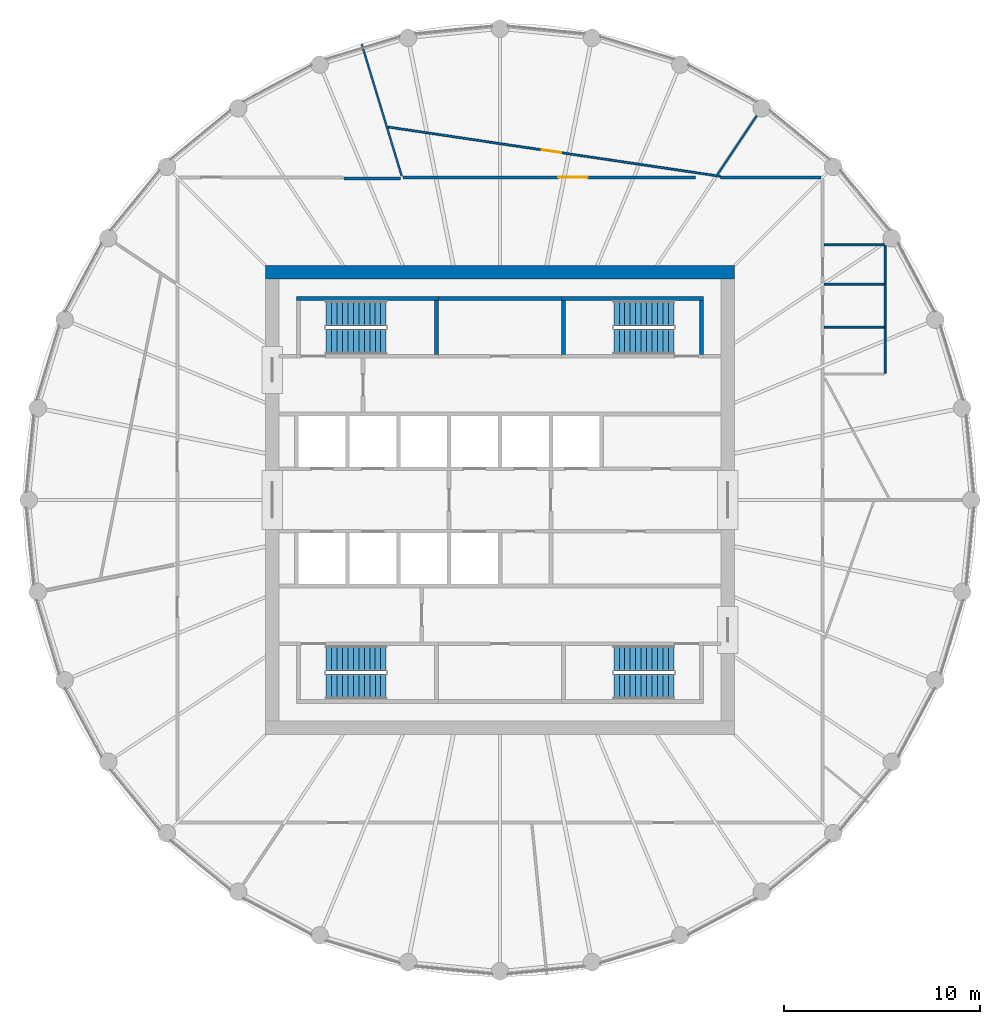
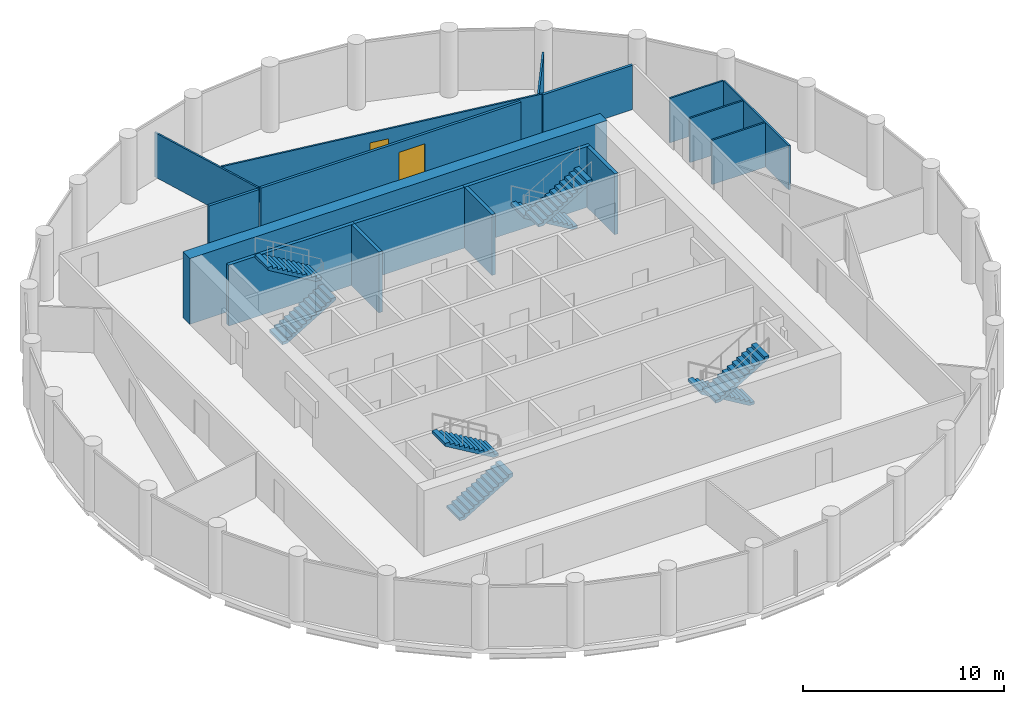
# One storey, part 6 of 7: 17 walls, 8 stair flights, 2 doors, 2 openings, 4 elements without a shape of their own.
"""IFC4 building model written with IfcOpenShell, lengths in metres."""

from ifc_helpers import new_model, si_unit, direction, frame, frame_2d, origin, place, context, subcontext, project, spatial, polyline, rectangle, outline, extrude, material, layer, layer_set, type_object, element, fill, aggregate, save


model = new_model("IFC4")

# Units and contexts
model_context = context("Model", 3, precision=1e-05, world=origin(), true_north=direction((0.0, 1.0)))
body_context = subcontext(model_context, "Body", "Model", "MODEL_VIEW")
ifc_project = project(units=[si_unit("LENGTHUNIT", "METRE"), si_unit("AREAUNIT", "SQUARE_METRE"), si_unit("VOLUMEUNIT", "CUBIC_METRE"), si_unit("PLANEANGLEUNIT", "RADIAN"), si_unit("MASSUNIT", "GRAM", prefix="KILO")], contexts=[model_context])

# Site, building, storey
site_placement = place(None, origin())
site = spatial("IfcSite", under=ifc_project, at=site_placement, CompositionType="ELEMENT")
building_placement = place(site_placement, origin())
building = spatial("IfcBuilding", under=site, at=building_placement, Name="Corvane Civic Tower", CompositionType="ELEMENT")
storey_placement = place(building_placement, frame((0.0, 0.0, 291.0)))
storey = spatial("IfcBuildingStorey", under=building, at=storey_placement, Name="L69", CompositionType="ELEMENT", Elevation=291.0)

# Walls
ifc_material_1 = material(Name="Concrete C40/50", Category="concrete")
ifc_layer_1 = layer(ifc_material_1, 0.699951171875)
ifc_layer_set_1 = layer_set([ifc_layer_1], Name="Concrete C40/50")
wall_type_1 = type_object("IfcWallType", Name="CORE WALL 700 C40/50", PredefinedType="SHEAR", material=ifc_layer_set_1)
wall_1_placement = place(storey_placement, frame((-12.0, 11.64990234375, 0.0), z_axis=(0.0, 0.0, 1.0), x_axis=(1.0, 0.0, 0.0)))
element("IfcWall", 1, at=wall_1_placement, inside=storey, type_object=wall_type_1, Name="W-L69-core-N", PredefinedType="SHEAR", context=body_context, shape_type="SweptSolid", body=[
    extrude(rectangle(XDim=24.0, YDim=0.699951171875, at=frame_2d((12.0, 0.0))), origin(), (0.0, 0.0, 1.0), 4.0),
])
ifc_material_2 = material(Name="Concrete C30/37", Category="concrete")
ifc_layer_2 = layer(ifc_material_2, 0.199951171875)
ifc_layer_set_2 = layer_set([ifc_layer_2], Name="Concrete C30/37")
wall_type_2 = type_object("IfcWallType", Name="CR-WALL-200", PredefinedType="PARTITIONING", material=ifc_layer_set_2)
wall_2_placement = place(storey_placement, origin())
element("IfcWall", 2, at=wall_2_placement, inside=storey, type_object=wall_type_2, Name="L69 core partition wall", PredefinedType="PARTITIONING", context=body_context, shape_type="SweptSolid", body=[
    extrude(outline(polyline([(3.14990234375, 10.199951171875), (-3.14990234375, 10.199951171875), (-3.14990234375, 10.39990234375), (3.14990234375, 10.39990234375), (3.14990234375, 10.199951171875)])), origin(), (0.0, 0.0, 1.0), 3.699951171875),
])
ifc_material_3 = material(Name="Plasterboard")
ifc_layer_3 = layer(ifc_material_3, 0.10009765625)
ifc_layer_set_3 = layer_set([ifc_layer_3], Name="Plasterboard")
wall_type_3 = type_object("IfcWallType", Name="Partition 100 plasterboard on studs", PredefinedType="PARTITIONING", material=ifc_layer_set_3)
wall_3_placement = place(storey_placement, frame((19.699951171875, 6.4951171875, 0.0), z_axis=(0.0, 0.0, 1.0), x_axis=(0.0, 1.0, 0.0)))
element("IfcWall", 3, at=wall_3_placement, inside=storey, type_object=wall_type_3, Name="Partition L69.015", PredefinedType="PARTITIONING", context=body_context, shape_type="SweptSolid", body=[
    extrude(rectangle(XDim=6.5, YDim=0.10009765625, at=frame_2d((3.25, 0.0))), origin(), (0.0, 0.0, 1.0), 2.699951171875),
])
for number, where, z_axis, x_axis, name in (
    (4, (16.574951171875, 8.844970703125, 0.0), (0.0, 0.0, 1.0), (1.0, 0.0, 0.0), "Partition L69.016"),
    (5, (16.574951171875, 11.044921875, 0.0), (0.0, 0.0, 1.0), (1.0, 0.0, 0.0), "Partition L69.017"),
    (6, (16.574951171875, 13.044921875, 0.0), (0.0, 0.0, 1.0), (1.0, 0.0, 0.0), "Partition L69.019"),
):
    element("IfcWall", number, at=place(storey_placement, frame(where, z_axis=z_axis, x_axis=x_axis)), inside=storey, type_object=wall_type_3, Name=name, PredefinedType="PARTITIONING", context=body_context, shape_type="SweptSolid", body=[
        extrude(rectangle(XDim=3.074951171875, YDim=0.10009765625, at=frame_2d((1.53759765625, 0.0))), origin(), (0.0, 0.0, 1.0), 2.699951171875),
    ])
wall_4_placement = place(storey_placement, frame((-7.068603515625, 23.3017578125, 0.0), z_axis=(0.0, 0.0, 1.0), x_axis=(0.290279752693, -0.956941829568, 0.0)))
element("IfcWall", 7, at=wall_4_placement, inside=storey, type_object=wall_type_3, Name="Partition L69.024", PredefinedType="PARTITIONING", context=body_context, shape_type="SweptSolid", body=[
    extrude(rectangle(XDim=7.04052734375, YDim=0.10009765625, at=frame_2d((3.520263671875, 0.0))), origin(), (0.0, 0.0, 1.0), 2.699951171875),
])

# Wall, opening, door
wall_5_placement = place(storey_placement, frame((-5.711669921875, 19.074462890625, 0.0), z_axis=(0.0, 0.0, 1.0), x_axis=(0.989177097484, -0.146726513669, 0.0)))
wall_5 = element("IfcWall", 8, at=wall_5_placement, inside=storey, type_object=wall_type_3, Name="Partition L69.025", PredefinedType="PARTITIONING", context=body_context, shape_type="SweptSolid", body=[
    extrude(rectangle(XDim=17.163330078125, YDim=0.10009765625, at=frame_2d((8.58154296875, 0.0))), origin(), (0.0, 0.0, 1.0), 2.699951171875),
])
opening_1_placement = place(wall_5_placement, frame((7.948486328125, 0.0, 0.0)))
opening_1 = element("IfcOpeningElement", 9, at=opening_1_placement, cuts=wall_5, Name="Opening L69.014", PredefinedType="OPENING", context=body_context, shape_type="SweptSolid", body=[
    extrude(rectangle(XDim=1.0, YDim=2.10009765625, at=frame_2d((0.5, 1.050048828125))), frame((0.0, 0.06005859375, 0.0), z_axis=(0.0, -1.0, 0.0), x_axis=(1.0, 0.0, 0.0)), (0.0, 0.0, 1.0), 0.1201171875),
])
ifc_material_4 = material(Name="Timber", Category="wood")
door_type_1 = type_object("IfcDoorType", Name="Single door 1000", OperationType="NOTDEFINED", PredefinedType="DOOR", material=ifc_material_4)
door_1_placement = place(opening_1_placement, origin())
door_1 = element("IfcDoor", 10, at=door_1_placement, inside=storey, type_object=door_type_1, Name="Door L69.014", OperationType="SINGLE_SWING_LEFT", OverallHeight=2.10009765625, OverallWidth=1.0, PredefinedType="DOOR", context=body_context, shape_type="SweptSolid", body=[
    extrude(rectangle(XDim=1.0, YDim=2.10009765625, at=frame_2d((0.5, 1.050048828125))), frame((0.0, 0.02490234375, 0.0), z_axis=(0.0, -1.0, 0.0), x_axis=(1.0, 0.0, 0.0)), (0.0, 0.0, 1.0), 0.050048828125),
])
fill(opening_1, door_1)

# Walls
wall_6_placement = place(storey_placement, frame((11.1328125, 16.661376953125, 0.0), z_axis=(0.0, 0.0, 1.0), x_axis=(0.555529029724, 0.831497141988, 0.0)))
element("IfcWall", 11, at=wall_6_placement, inside=storey, type_object=wall_type_3, Name="Partition L69.026", PredefinedType="PARTITIONING", context=body_context, shape_type="SweptSolid", body=[
    extrude(rectangle(XDim=3.6015625, YDim=0.10009765625, at=frame_2d((1.80078125, 0.0))), origin(), (0.0, 0.0, 1.0), 2.699951171875),
])
ifc_material_5 = material(Name="Concrete C50/60", Category="concrete")
ifc_layer_4 = layer(ifc_material_5, 0.199951171875)
ifc_layer_set_4 = layer_set([ifc_layer_4], Name="Concrete C50/60")
wall_type_4 = type_object("IfcWallType", Name="ST-WALL-200", PredefinedType="SHEAR", material=ifc_layer_set_4)
wall_7_placement = place(storey_placement, origin())
element("IfcWall", 12, at=wall_7_placement, inside=storey, type_object=wall_type_4, Name="L69 stair enclosure wall", PredefinedType="SHEAR", context=body_context, shape_type="SweptSolid", body=[
    extrude(outline(polyline([(-3.14990234375, 10.199951171875), (-10.39990234375, 10.199951171875), (-10.39990234375, 10.39990234375), (-3.14990234375, 10.39990234375), (-3.14990234375, 10.199951171875)])), origin(), (0.0, 0.0, 1.0), 3.699951171875),
])
wall_8_placement = place(storey_placement, origin())
element("IfcWall", 13, at=wall_8_placement, inside=storey, type_object=wall_type_4, Name="L69 stair enclosure wall", PredefinedType="SHEAR", context=body_context, shape_type="SweptSolid", body=[
    extrude(outline(polyline([(10.39990234375, 10.199951171875), (3.14990234375, 10.199951171875), (3.14990234375, 10.39990234375), (10.39990234375, 10.39990234375), (10.39990234375, 10.199951171875)])), origin(), (0.0, 0.0, 1.0), 3.699951171875),
])
wall_9_placement = place(storey_placement, origin())
element("IfcWall", 14, at=wall_9_placement, inside=storey, type_object=wall_type_4, Name="L69 stair enclosure wall", PredefinedType="SHEAR", context=body_context, shape_type="SweptSolid", body=[
    extrude(outline(polyline([(-3.14990234375, 7.449951171875), (-3.35009765625, 7.449951171875), (-3.35009765625, 10.199951171875), (-3.14990234375, 10.199951171875), (-3.14990234375, 7.449951171875)])), origin(), (0.0, 0.0, 1.0), 3.699951171875),
])
wall_10_placement = place(storey_placement, origin())
element("IfcWall", 15, at=wall_10_placement, inside=storey, type_object=wall_type_4, Name="L69 stair enclosure wall", PredefinedType="SHEAR", context=body_context, shape_type="SweptSolid", body=[
    extrude(outline(polyline([(3.35009765625, 7.449951171875), (3.14990234375, 7.449951171875), (3.14990234375, 10.199951171875), (3.35009765625, 10.199951171875), (3.35009765625, 7.449951171875)])), origin(), (0.0, 0.0, 1.0), 3.699951171875),
])
wall_11_placement = place(storey_placement, origin())
element("IfcWall", 16, at=wall_11_placement, inside=storey, type_object=wall_type_4, Name="L69 stair enclosure wall", PredefinedType="SHEAR", context=body_context, shape_type="SweptSolid", body=[
    extrude(outline(polyline([(10.39990234375, 7.449951171875), (10.199951171875, 7.449951171875), (10.199951171875, 10.199951171875), (10.39990234375, 10.199951171875), (10.39990234375, 7.449951171875)])), origin(), (0.0, 0.0, 1.0), 3.699951171875),
])
ifc_material_6 = material(Name="Plasterboard")
ifc_layer_5 = layer(ifc_material_6, 0.14990234375)
ifc_layer_set_5 = layer_set([ifc_layer_5], Name="Plasterboard")
wall_type_5 = type_object("IfcWallType", Name="Tenancy wall 150 EI 60", PredefinedType="PARTITIONING", material=ifc_layer_set_5)
wall_12_placement = place(storey_placement, frame((-7.97705078125, 16.449951171875, 0.0), z_axis=(0.0, 0.0, 1.0), x_axis=(1.0, 0.0, 0.0)))
element("IfcWall", 17, at=wall_12_placement, inside=storey, type_object=wall_type_5, Name="Partition L69.020", PredefinedType="PARTITIONING", context=body_context, shape_type="SweptSolid", body=[
    extrude(rectangle(XDim=2.8857421875, YDim=0.14990234375, at=frame_2d((1.44287109375, 0.0))), origin(), (0.0, 0.0, 1.0), 2.699951171875),
])

# Wall, opening, door
wall_13_placement = place(storey_placement, frame((-4.94970703125, 16.5, 0.0), z_axis=(0.0, 0.0, 1.0), x_axis=(1.0, 0.0, 0.0)))
wall_13 = element("IfcWall", 18, at=wall_13_placement, inside=storey, type_object=wall_type_5, Name="Partition L69.022", PredefinedType="PARTITIONING", context=body_context, shape_type="SweptSolid", body=[
    extrude(rectangle(XDim=14.9580078125, YDim=0.14990234375, at=frame_2d((7.47900390625, 0.0))), origin(), (0.0, 0.0, 1.0), 2.699951171875),
])
opening_2_placement = place(wall_13_placement, frame((7.93701171875, 0.0, 0.0)))
opening_2 = element("IfcOpeningElement", 19, at=opening_2_placement, cuts=wall_13, Name="Opening L69.015", PredefinedType="OPENING", context=body_context, shape_type="SweptSolid", body=[
    extrude(rectangle(XDim=1.5, YDim=2.10009765625, at=frame_2d((0.75, 1.050048828125))), frame((0.0, 0.0849609375, 0.0), z_axis=(0.0, -1.0, 0.0), x_axis=(1.0, 0.0, 0.0)), (0.0, 0.0, 1.0), 0.169921875),
])
ifc_material_7 = material(Name="Steel and timber", Category="steel")
door_type_2 = type_object("IfcDoorType", Name="Fire door FD60 double 1500", OperationType="NOTDEFINED", PredefinedType="DOOR", material=ifc_material_7)
door_2_placement = place(opening_2_placement, origin())
door_2 = element("IfcDoor", 20, at=door_2_placement, inside=storey, type_object=door_type_2, Name="Door L69.015", OperationType="DOUBLE_DOOR_SINGLE_SWING", OverallHeight=2.10009765625, OverallWidth=1.5, PredefinedType="DOOR", context=body_context, shape_type="SweptSolid", body=[
    extrude(rectangle(XDim=1.5, YDim=2.10009765625, at=frame_2d((0.75, 1.050048828125))), frame((0.0, 0.02490234375, 0.0), z_axis=(0.0, -1.0, 0.0), x_axis=(1.0, 0.0, 0.0)), (0.0, 0.0, 1.0), 0.050048828125),
])
fill(opening_2, door_2)

# Wall
wall_14_placement = place(storey_placement, frame((11.265869140625, 16.5, 0.0), z_axis=(0.0, 0.0, 1.0), x_axis=(1.0, 0.0, 0.0)))
element("IfcWall", 21, at=wall_14_placement, inside=storey, type_object=wall_type_5, Name="Partition L69.023", PredefinedType="PARTITIONING", context=body_context, shape_type="SweptSolid", body=[
    extrude(rectangle(XDim=5.1591796875, YDim=0.14990234375, at=frame_2d((2.57958984375, 0.0))), origin(), (0.0, 0.0, 1.0), 2.699951171875),
])

# Stair, stair flights
ifc_material_8 = material(Name="Concrete C40/50", Category="concrete")
stair_type = type_object("IfcStairType", Name="ST-STAIR-HALFTURN", PredefinedType="HALF_TURN_STAIR", material=ifc_material_8)
stair_1_placement = place(storey_placement, origin())
stair_1 = element("IfcStair", 22, at=stair_1_placement, inside=storey, type_object=stair_type, Name="L69 Exit stair ST1", PredefinedType="HALF_TURN_STAIR")
ifc_material_9 = material(Name="Concrete C40/50", Category="concrete")
stair_flight_type = type_object("IfcStairFlightType", Name="ST-FLIGHT-RC", PredefinedType="STRAIGHT", material=ifc_material_9)
stair_flight_1_placement = place(storey_placement, frame((8.89990234375, 9.550048828125, 0.0), z_axis=(0.0, 0.0, 1.0), x_axis=(-1.0, 0.0, 0.0)))
stair_flight_1 = element("IfcStairFlight", 23, at=stair_flight_1_placement, type_object=stair_flight_type, Name="ST1 flight 1", NumberOfRisers=12, NumberOfTreads=11, PredefinedType="STRAIGHT", RiserHeight=0.166666667, TreadLength=0.28, context=body_context, shape_type="SweptSolid", body=[
    extrude(outline(polyline([(0.0, 0.0), (0.0, 0.166748046875), (0.280029296875, 0.166748046875), (0.280029296875, 0.333251953125), (0.56005859375, 0.333251953125), (0.56005859375, 0.5), (0.840087890625, 0.5), (0.840087890625, 0.666748046875), (1.1201171875, 0.666748046875), (1.1201171875, 0.833251953125), (1.39990234375, 0.833251953125), (1.39990234375, 1.0), (1.679931640625, 1.0), (1.679931640625, 1.166748046875), (1.9599609375, 1.166748046875), (1.9599609375, 1.333251953125), (2.239990234375, 1.333251953125), (2.239990234375, 1.5), (2.52001953125, 1.5), (2.52001953125, 1.666748046875), (2.800048828125, 1.666748046875), (2.800048828125, 1.833251953125), (3.080078125, 1.833251953125), (3.080078125, 2.0), (3.080078125, 1.658935546875), (0.29296875, 0.0), (0.0, 0.0)])), frame((0.0, 0.64990234375, 0.0), z_axis=(0.0, -1.0, 0.0), x_axis=(1.0, 0.0, 0.0)), (0.0, 0.0, 1.0), 1.300048828125),
])
stair_flight_2_placement = place(storey_placement, frame((5.820068359375, 8.10009765625, 2.0), z_axis=(0.0, 0.0, 1.0), x_axis=(1.0, 0.0, 0.0)))
stair_flight_2 = element("IfcStairFlight", 24, at=stair_flight_2_placement, type_object=stair_flight_type, Name="ST1 flight 2", NumberOfRisers=12, NumberOfTreads=11, PredefinedType="STRAIGHT", RiserHeight=0.166666667, TreadLength=0.28, context=body_context, shape_type="SweptSolid", body=[
    extrude(outline(polyline([(0.0, 0.0), (0.0, 0.166748046875), (0.280029296875, 0.166748046875), (0.280029296875, 0.333251953125), (0.56005859375, 0.333251953125), (0.56005859375, 0.5), (0.840087890625, 0.5), (0.840087890625, 0.666748046875), (1.1201171875, 0.666748046875), (1.1201171875, 0.833251953125), (1.39990234375, 0.833251953125), (1.39990234375, 1.0), (1.679931640625, 1.0), (1.679931640625, 1.166748046875), (1.9599609375, 1.166748046875), (1.9599609375, 1.333251953125), (2.239990234375, 1.333251953125), (2.239990234375, 1.5), (2.52001953125, 1.5), (2.52001953125, 1.666748046875), (2.800048828125, 1.666748046875), (2.800048828125, 1.833251953125), (3.080078125, 1.833251953125), (3.080078125, 2.0), (3.080078125, 1.658935546875), (0.29296875, 0.0), (0.0, 0.0)])), frame((0.0, 0.64990234375, 0.0), z_axis=(0.0, -1.0, 0.0), x_axis=(1.0, 0.0, 0.0)), (0.0, 0.0, 1.0), 1.300048828125),
])
aggregate(stair_1, [stair_flight_1, stair_flight_2])

stair_2_placement = place(storey_placement, origin())
stair_2 = element("IfcStair", 25, at=stair_2_placement, inside=storey, type_object=stair_type, Name="L69 Exit stair ST2", PredefinedType="HALF_TURN_STAIR")
stair_flight_3_placement = place(storey_placement, frame((8.89990234375, -8.10009765625, 0.0), z_axis=(0.0, 0.0, 1.0), x_axis=(-1.0, 0.0, 0.0)))
stair_flight_3 = element("IfcStairFlight", 26, at=stair_flight_3_placement, type_object=stair_flight_type, Name="ST2 flight 1", NumberOfRisers=12, NumberOfTreads=11, PredefinedType="STRAIGHT", RiserHeight=0.166666667, TreadLength=0.28, context=body_context, shape_type="SweptSolid", body=[
    extrude(outline(polyline([(0.0, 0.0), (0.0, 0.166748046875), (0.280029296875, 0.166748046875), (0.280029296875, 0.333251953125), (0.56005859375, 0.333251953125), (0.56005859375, 0.5), (0.840087890625, 0.5), (0.840087890625, 0.666748046875), (1.1201171875, 0.666748046875), (1.1201171875, 0.833251953125), (1.39990234375, 0.833251953125), (1.39990234375, 1.0), (1.679931640625, 1.0), (1.679931640625, 1.166748046875), (1.9599609375, 1.166748046875), (1.9599609375, 1.333251953125), (2.239990234375, 1.333251953125), (2.239990234375, 1.5), (2.52001953125, 1.5), (2.52001953125, 1.666748046875), (2.800048828125, 1.666748046875), (2.800048828125, 1.833251953125), (3.080078125, 1.833251953125), (3.080078125, 2.0), (3.080078125, 1.658935546875), (0.29296875, 0.0), (0.0, 0.0)])), frame((0.0, 0.64990234375, 0.0), z_axis=(0.0, -1.0, 0.0), x_axis=(1.0, 0.0, 0.0)), (0.0, 0.0, 1.0), 1.300048828125),
])
stair_flight_4_placement = place(storey_placement, frame((5.820068359375, -9.550048828125, 2.0), z_axis=(0.0, 0.0, 1.0), x_axis=(1.0, 0.0, 0.0)))
stair_flight_4 = element("IfcStairFlight", 27, at=stair_flight_4_placement, type_object=stair_flight_type, Name="ST2 flight 2", NumberOfRisers=12, NumberOfTreads=11, PredefinedType="STRAIGHT", RiserHeight=0.166666667, TreadLength=0.28, context=body_context, shape_type="SweptSolid", body=[
    extrude(outline(polyline([(0.0, 0.0), (0.0, 0.166748046875), (0.280029296875, 0.166748046875), (0.280029296875, 0.333251953125), (0.56005859375, 0.333251953125), (0.56005859375, 0.5), (0.840087890625, 0.5), (0.840087890625, 0.666748046875), (1.1201171875, 0.666748046875), (1.1201171875, 0.833251953125), (1.39990234375, 0.833251953125), (1.39990234375, 1.0), (1.679931640625, 1.0), (1.679931640625, 1.166748046875), (1.9599609375, 1.166748046875), (1.9599609375, 1.333251953125), (2.239990234375, 1.333251953125), (2.239990234375, 1.5), (2.52001953125, 1.5), (2.52001953125, 1.666748046875), (2.800048828125, 1.666748046875), (2.800048828125, 1.833251953125), (3.080078125, 1.833251953125), (3.080078125, 2.0), (3.080078125, 1.658935546875), (0.29296875, 0.0), (0.0, 0.0)])), frame((0.0, 0.64990234375, 0.0), z_axis=(0.0, -1.0, 0.0), x_axis=(1.0, 0.0, 0.0)), (0.0, 0.0, 1.0), 1.300048828125),
])
aggregate(stair_2, [stair_flight_3, stair_flight_4])

stair_3_placement = place(storey_placement, origin())
stair_3 = element("IfcStair", 28, at=stair_3_placement, inside=storey, type_object=stair_type, Name="L69 Exit stair ST3", PredefinedType="HALF_TURN_STAIR")
stair_flight_5_placement = place(storey_placement, frame((-8.89990234375, -9.550048828125, 0.0), z_axis=(0.0, 0.0, 1.0), x_axis=(1.0, 0.0, 0.0)))
stair_flight_5 = element("IfcStairFlight", 29, at=stair_flight_5_placement, type_object=stair_flight_type, Name="ST3 flight 1", NumberOfRisers=12, NumberOfTreads=11, PredefinedType="STRAIGHT", RiserHeight=0.166666667, TreadLength=0.28, context=body_context, shape_type="SweptSolid", body=[
    extrude(outline(polyline([(0.0, 0.0), (0.0, 0.166748046875), (0.280029296875, 0.166748046875), (0.280029296875, 0.333251953125), (0.56005859375, 0.333251953125), (0.56005859375, 0.5), (0.840087890625, 0.5), (0.840087890625, 0.666748046875), (1.1201171875, 0.666748046875), (1.1201171875, 0.833251953125), (1.39990234375, 0.833251953125), (1.39990234375, 1.0), (1.679931640625, 1.0), (1.679931640625, 1.166748046875), (1.9599609375, 1.166748046875), (1.9599609375, 1.333251953125), (2.239990234375, 1.333251953125), (2.239990234375, 1.5), (2.52001953125, 1.5), (2.52001953125, 1.666748046875), (2.800048828125, 1.666748046875), (2.800048828125, 1.833251953125), (3.080078125, 1.833251953125), (3.080078125, 2.0), (3.080078125, 1.658935546875), (0.29296875, 0.0), (0.0, 0.0)])), frame((0.0, 0.64990234375, 0.0), z_axis=(0.0, -1.0, 0.0), x_axis=(1.0, 0.0, 0.0)), (0.0, 0.0, 1.0), 1.300048828125),
])
stair_flight_6_placement = place(storey_placement, frame((-5.820068359375, -8.10009765625, 2.0), z_axis=(0.0, 0.0, 1.0), x_axis=(-1.0, 0.0, 0.0)))
stair_flight_6 = element("IfcStairFlight", 30, at=stair_flight_6_placement, type_object=stair_flight_type, Name="ST3 flight 2", NumberOfRisers=12, NumberOfTreads=11, PredefinedType="STRAIGHT", RiserHeight=0.166666667, TreadLength=0.28, context=body_context, shape_type="SweptSolid", body=[
    extrude(outline(polyline([(0.0, 0.0), (0.0, 0.166748046875), (0.280029296875, 0.166748046875), (0.280029296875, 0.333251953125), (0.56005859375, 0.333251953125), (0.56005859375, 0.5), (0.840087890625, 0.5), (0.840087890625, 0.666748046875), (1.1201171875, 0.666748046875), (1.1201171875, 0.833251953125), (1.39990234375, 0.833251953125), (1.39990234375, 1.0), (1.679931640625, 1.0), (1.679931640625, 1.166748046875), (1.9599609375, 1.166748046875), (1.9599609375, 1.333251953125), (2.239990234375, 1.333251953125), (2.239990234375, 1.5), (2.52001953125, 1.5), (2.52001953125, 1.666748046875), (2.800048828125, 1.666748046875), (2.800048828125, 1.833251953125), (3.080078125, 1.833251953125), (3.080078125, 2.0), (3.080078125, 1.658935546875), (0.29296875, 0.0), (0.0, 0.0)])), frame((0.0, 0.64990234375, 0.0), z_axis=(0.0, -1.0, 0.0), x_axis=(1.0, 0.0, 0.0)), (0.0, 0.0, 1.0), 1.300048828125),
])
aggregate(stair_3, [stair_flight_5, stair_flight_6])

stair_4_placement = place(storey_placement, origin())
stair_4 = element("IfcStair", 31, at=stair_4_placement, inside=storey, type_object=stair_type, Name="L69 Exit stair ST4", PredefinedType="HALF_TURN_STAIR")
stair_flight_7_placement = place(storey_placement, frame((-8.89990234375, 8.10009765625, 0.0), z_axis=(0.0, 0.0, 1.0), x_axis=(1.0, 0.0, 0.0)))
stair_flight_7 = element("IfcStairFlight", 32, at=stair_flight_7_placement, type_object=stair_flight_type, Name="ST4 flight 1", NumberOfRisers=12, NumberOfTreads=11, PredefinedType="STRAIGHT", RiserHeight=0.166666667, TreadLength=0.28, context=body_context, shape_type="SweptSolid", body=[
    extrude(outline(polyline([(0.0, 0.0), (0.0, 0.166748046875), (0.280029296875, 0.166748046875), (0.280029296875, 0.333251953125), (0.56005859375, 0.333251953125), (0.56005859375, 0.5), (0.840087890625, 0.5), (0.840087890625, 0.666748046875), (1.1201171875, 0.666748046875), (1.1201171875, 0.833251953125), (1.39990234375, 0.833251953125), (1.39990234375, 1.0), (1.679931640625, 1.0), (1.679931640625, 1.166748046875), (1.9599609375, 1.166748046875), (1.9599609375, 1.333251953125), (2.239990234375, 1.333251953125), (2.239990234375, 1.5), (2.52001953125, 1.5), (2.52001953125, 1.666748046875), (2.800048828125, 1.666748046875), (2.800048828125, 1.833251953125), (3.080078125, 1.833251953125), (3.080078125, 2.0), (3.080078125, 1.658935546875), (0.29296875, 0.0), (0.0, 0.0)])), frame((0.0, 0.64990234375, 0.0), z_axis=(0.0, -1.0, 0.0), x_axis=(1.0, 0.0, 0.0)), (0.0, 0.0, 1.0), 1.300048828125),
])
stair_flight_8_placement = place(storey_placement, frame((-5.820068359375, 9.550048828125, 2.0), z_axis=(0.0, 0.0, 1.0), x_axis=(-1.0, 0.0, 0.0)))
stair_flight_8 = element("IfcStairFlight", 33, at=stair_flight_8_placement, type_object=stair_flight_type, Name="ST4 flight 2", NumberOfRisers=12, NumberOfTreads=11, PredefinedType="STRAIGHT", RiserHeight=0.166666667, TreadLength=0.28, context=body_context, shape_type="SweptSolid", body=[
    extrude(outline(polyline([(0.0, 0.0), (0.0, 0.166748046875), (0.280029296875, 0.166748046875), (0.280029296875, 0.333251953125), (0.56005859375, 0.333251953125), (0.56005859375, 0.5), (0.840087890625, 0.5), (0.840087890625, 0.666748046875), (1.1201171875, 0.666748046875), (1.1201171875, 0.833251953125), (1.39990234375, 0.833251953125), (1.39990234375, 1.0), (1.679931640625, 1.0), (1.679931640625, 1.166748046875), (1.9599609375, 1.166748046875), (1.9599609375, 1.333251953125), (2.239990234375, 1.333251953125), (2.239990234375, 1.5), (2.52001953125, 1.5), (2.52001953125, 1.666748046875), (2.800048828125, 1.666748046875), (2.800048828125, 1.833251953125), (3.080078125, 1.833251953125), (3.080078125, 2.0), (3.080078125, 1.658935546875), (0.29296875, 0.0), (0.0, 0.0)])), frame((0.0, 0.64990234375, 0.0), z_axis=(0.0, -1.0, 0.0), x_axis=(1.0, 0.0, 0.0)), (0.0, 0.0, 1.0), 1.300048828125),
])
aggregate(stair_4, [stair_flight_7, stair_flight_8])

save(model, "model.ifc")
